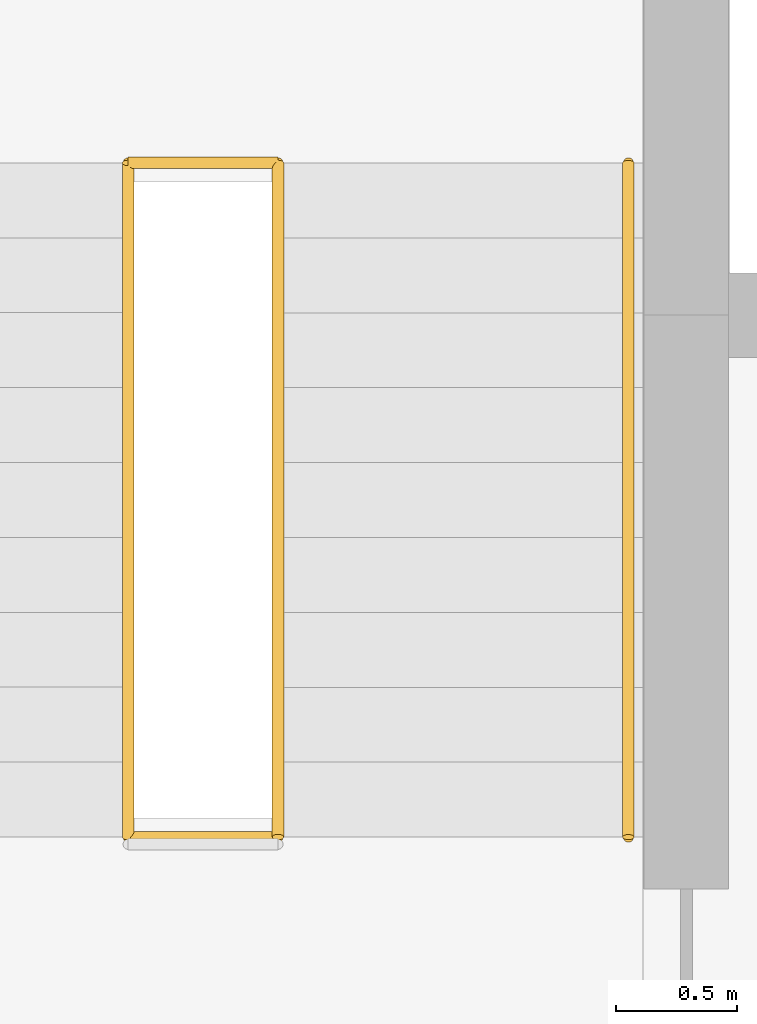
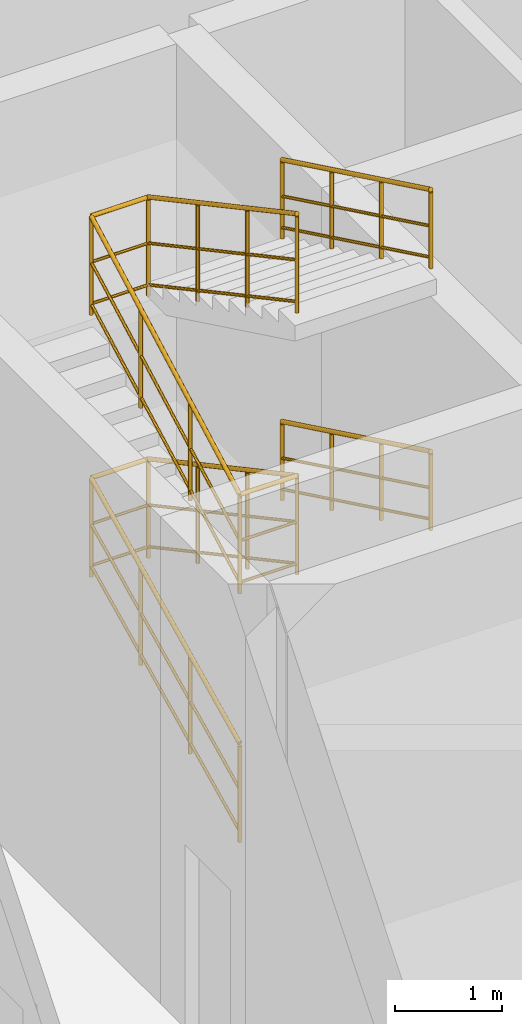
# One storey, part 11 of 11: 3 railings.
"""IFC4 building model written with IfcOpenShell, lengths in metres."""

from ifc_helpers import new_model, si_unit, direction, frame, origin, origin_2d, place, context, subcontext, project, spatial, circle, extrude, material, layer, layer_set, type_object, element, save


model = new_model("IFC4")

# Units and contexts
model_context = context("Model", 3, precision=1e-05, world=origin(), true_north=direction((0.0, 1.0)))
body_context = subcontext(model_context, "Body", "Model", "MODEL_VIEW")
ifc_project = project(units=[si_unit("LENGTHUNIT", "METRE"), si_unit("AREAUNIT", "SQUARE_METRE"), si_unit("VOLUMEUNIT", "CUBIC_METRE"), si_unit("PLANEANGLEUNIT", "RADIAN"), si_unit("MASSUNIT", "GRAM", prefix="KILO")], contexts=[model_context])

# Site, building, storey
site_placement = place(None, origin())
site = spatial("IfcSite", under=ifc_project, at=site_placement, CompositionType="ELEMENT")
building_placement = place(site_placement, origin())
building = spatial("IfcBuilding", under=site, at=building_placement, Name="Keshet Zoharim Tower", CompositionType="ELEMENT")
storey_placement = place(building_placement, frame((0.0, 0.0, 13.0)))
storey = spatial("IfcBuildingStorey", under=building, at=storey_placement, Name="L02", CompositionType="ELEMENT", Elevation=13.0)

# Railings
ifc_material = material(Name="Steel S355", Category="steel")
ifc_layer_1 = layer(ifc_material, 0.050048828125)
ifc_layer_set_1 = layer_set([ifc_layer_1], Name="Steel S355")
railing_type_1 = type_object("IfcRailingType", Name="RL-HND-092", PredefinedType="HANDRAIL", material=ifc_layer_set_1)
for number, where, name in (
    (1, (18.760009765625, 35.6298828125, 1.64990234375), "L02 ST-02 Flight 2 Wall Handrail"),
    (2, (18.760009765625, 35.6298828125, 4.64990234375), "L02 ST-02 Flight 4 Wall Handrail"),
):
    element("IfcRailing", number, at=place(storey_placement, frame(where)), inside=storey, type_object=railing_type_1, Name=name, PredefinedType="HANDRAIL", context=body_context, shape_type="SweptSolid", body=[
        extrude(circle(Radius=0.02392578125, at=origin_2d()), frame((0.0, 0.0, 0.89599609375), z_axis=(0.0, -0.900134342929, 0.43561240189), x_axis=(1.0, 0.0, 0.0)), (0.0, 0.0, 1.0), 3.099365234375),
        extrude(circle(Radius=0.01611328125, at=origin_2d()), frame((0.0, 0.0, 0.478271484375), z_axis=(0.0, -0.900134342929, 0.43561240189), x_axis=(1.0, 0.0, 0.0)), (0.0, 0.0, 1.0), 3.099365234375),
        extrude(circle(Radius=0.01611328125, at=origin_2d()), frame((0.0, 0.0, 0.1201171875), z_axis=(0.0, -0.900134342929, 0.43561240189), x_axis=(1.0, 0.0, 0.0)), (0.0, 0.0, 1.0), 3.099365234375),
        extrude(circle(Radius=0.02099609375, at=origin_2d()), origin(), (0.0, 0.0, 1.0), 0.871826171875),
        extrude(circle(Radius=0.02099609375, at=origin_2d()), frame((0.0, -0.929931640625, 0.449951171875)), (0.0, 0.0, 1.0), 0.871826171875),
        extrude(circle(Radius=0.02099609375, at=origin_2d()), frame((0.0, -1.85986328125, 0.900146484375)), (0.0, 0.0, 1.0), 0.871826171875),
        extrude(circle(Radius=0.02099609375, at=origin_2d()), frame((0.0, -2.789794921875, 1.35009765625)), (0.0, 0.0, 1.0), 0.871826171875),
    ])
ifc_layer_2 = layer(ifc_material, 0.06005859375)
ifc_layer_set_2 = layer_set([ifc_layer_2], Name="Steel S355")
railing_type_2 = type_object("IfcRailingType", Name="RL-STG-115", PredefinedType="GUARDRAIL", material=ifc_layer_set_2)
railing_placement = place(storey_placement, frame((16.68994140625, 32.840087890625, 0.14990234375)))
element("IfcRailing", 3, at=railing_placement, inside=storey, type_object=railing_type_2, Name="L02 ST-02 Inner Well Guardrail", PredefinedType="GUARDRAIL", context=body_context, shape_type="SweptSolid", body=[
    extrude(circle(Radius=0.02392578125, at=origin_2d()), frame((0.0, 0.0, 1.1259765625), z_axis=(0.0, 0.900134342929, 0.43561240189), x_axis=(-1.0, 0.0, 0.0)), (0.0, 0.0, 1.0), 3.099365234375),
    extrude(circle(Radius=0.01611328125, at=origin_2d()), frame((0.0, 0.0, 0.597900390625), z_axis=(0.0, 0.900134342929, 0.43561240189), x_axis=(-1.0, 0.0, 0.0)), (0.0, 0.0, 1.0), 3.099365234375),
    extrude(circle(Radius=0.01611328125, at=origin_2d()), frame((0.0, 0.0, 0.1201171875), z_axis=(0.0, 0.900134342929, 0.43561240189), x_axis=(-1.0, 0.0, 0.0)), (0.0, 0.0, 1.0), 3.099365234375),
    extrude(circle(Radius=0.02392578125, at=origin_2d()), frame((0.0, 2.789794921875, 2.47607421875), z_axis=(1.0, 0.0, 0.0), x_axis=(0.0, 1.0, 0.0)), (0.0, 0.0, 1.0), 0.6201171875),
    extrude(circle(Radius=0.01611328125, at=origin_2d()), frame((0.0, 2.789794921875, 1.947998046875), z_axis=(1.0, 0.0, 0.0), x_axis=(0.0, 1.0, 0.0)), (0.0, 0.0, 1.0), 0.6201171875),
    extrude(circle(Radius=0.01611328125, at=origin_2d()), frame((0.0, 2.789794921875, 1.47021484375), z_axis=(1.0, 0.0, 0.0), x_axis=(0.0, 1.0, 0.0)), (0.0, 0.0, 1.0), 0.6201171875),
    extrude(circle(Radius=0.02392578125, at=origin_2d()), frame((0.6201171875, 2.789794921875, 2.47607421875), z_axis=(0.0, -0.880760505324, 0.473561962432), x_axis=(1.0, 0.0, 0.0)), (0.0, 0.0, 1.0), 3.16748046875),
    extrude(circle(Radius=0.01611328125, at=origin_2d()), frame((0.6201171875, 2.789794921875, 1.947998046875), z_axis=(0.0, -0.880760505324, 0.473561962432), x_axis=(1.0, 0.0, 0.0)), (0.0, 0.0, 1.0), 3.16748046875),
    extrude(circle(Radius=0.01611328125, at=origin_2d()), frame((0.6201171875, 2.789794921875, 1.47021484375), z_axis=(0.0, -0.880760505324, 0.473561962432), x_axis=(1.0, 0.0, 0.0)), (0.0, 0.0, 1.0), 3.16748046875),
    extrude(circle(Radius=0.02392578125, at=origin_2d()), frame((0.6201171875, 0.0, 3.97607421875), z_axis=(-1.0, 0.0, 0.0), x_axis=(0.0, -1.0, 0.0)), (0.0, 0.0, 1.0), 0.6201171875),
    extrude(circle(Radius=0.01611328125, at=origin_2d()), frame((0.6201171875, 0.0, 3.447998046875), z_axis=(-1.0, 0.0, 0.0), x_axis=(0.0, -1.0, 0.0)), (0.0, 0.0, 1.0), 0.6201171875),
    extrude(circle(Radius=0.01611328125, at=origin_2d()), frame((0.6201171875, 0.0, 2.97021484375), z_axis=(-1.0, 0.0, 0.0), x_axis=(0.0, -1.0, 0.0)), (0.0, 0.0, 1.0), 0.6201171875),
    extrude(circle(Radius=0.02392578125, at=origin_2d()), frame((0.0, 0.0, 3.97607421875), z_axis=(0.0, 0.880760505324, 0.473561962432), x_axis=(-1.0, 0.0, 0.0)), (0.0, 0.0, 1.0), 3.16748046875),
    extrude(circle(Radius=0.01611328125, at=origin_2d()), frame((0.0, 0.0, 3.447998046875), z_axis=(0.0, 0.880760505324, 0.473561962432), x_axis=(-1.0, 0.0, 0.0)), (0.0, 0.0, 1.0), 3.16748046875),
    extrude(circle(Radius=0.01611328125, at=origin_2d()), frame((0.0, 0.0, 2.97021484375), z_axis=(0.0, 0.880760505324, 0.473561962432), x_axis=(-1.0, 0.0, 0.0)), (0.0, 0.0, 1.0), 3.16748046875),
    extrude(circle(Radius=0.02392578125, at=origin_2d()), frame((0.0, 2.789794921875, 5.47607421875), z_axis=(1.0, 0.0, 0.0), x_axis=(0.0, 1.0, 0.0)), (0.0, 0.0, 1.0), 0.6201171875),
    extrude(circle(Radius=0.01611328125, at=origin_2d()), frame((0.0, 2.789794921875, 4.947998046875), z_axis=(1.0, 0.0, 0.0), x_axis=(0.0, 1.0, 0.0)), (0.0, 0.0, 1.0), 0.6201171875),
    extrude(circle(Radius=0.01611328125, at=origin_2d()), frame((0.0, 2.789794921875, 4.47021484375), z_axis=(1.0, 0.0, 0.0), x_axis=(0.0, 1.0, 0.0)), (0.0, 0.0, 1.0), 0.6201171875),
    extrude(circle(Radius=0.02392578125, at=origin_2d()), frame((0.6201171875, 2.789794921875, 5.47607421875), z_axis=(0.0, -0.880760505324, 0.473561962432), x_axis=(1.0, 0.0, 0.0)), (0.0, 0.0, 1.0), 3.16748046875),
    extrude(circle(Radius=0.01611328125, at=origin_2d()), frame((0.6201171875, 2.789794921875, 4.947998046875), z_axis=(0.0, -0.880760505324, 0.473561962432), x_axis=(1.0, 0.0, 0.0)), (0.0, 0.0, 1.0), 3.16748046875),
    extrude(circle(Radius=0.01611328125, at=origin_2d()), frame((0.6201171875, 2.789794921875, 4.47021484375), z_axis=(0.0, -0.880760505324, 0.473561962432), x_axis=(1.0, 0.0, 0.0)), (0.0, 0.0, 1.0), 3.16748046875),
    extrude(circle(Radius=0.02099609375, at=origin_2d()), origin(), (0.0, 0.0, 1.0), 1.101806640625),
    extrude(circle(Radius=0.02099609375, at=origin_2d()), frame((0.0, 0.929931640625, 0.449951171875)), (0.0, 0.0, 1.0), 1.101806640625),
    extrude(circle(Radius=0.02099609375, at=origin_2d()), frame((0.0, 1.85986328125, 0.900146484375)), (0.0, 0.0, 1.0), 1.101806640625),
    extrude(circle(Radius=0.02099609375, at=origin_2d()), frame((0.0, 2.789794921875, 1.35009765625)), (0.0, 0.0, 1.0), 1.101806640625),
    extrude(circle(Radius=0.02099609375, at=origin_2d()), frame((0.6201171875, 2.789794921875, 1.35009765625)), (0.0, 0.0, 1.0), 1.101806640625),
    extrude(circle(Radius=0.02099609375, at=origin_2d()), frame((0.6201171875, 1.85986328125, 1.85009765625)), (0.0, 0.0, 1.0), 1.101806640625),
    extrude(circle(Radius=0.02099609375, at=origin_2d()), frame((0.6201171875, 0.929931640625, 2.35009765625)), (0.0, 0.0, 1.0), 1.101806640625),
    extrude(circle(Radius=0.02099609375, at=origin_2d()), frame((0.6201171875, 0.0, 2.85009765625)), (0.0, 0.0, 1.0), 1.101806640625),
    extrude(circle(Radius=0.02099609375, at=origin_2d()), frame((0.0, 0.0, 2.85009765625)), (0.0, 0.0, 1.0), 1.101806640625),
    extrude(circle(Radius=0.02099609375, at=origin_2d()), frame((0.0, 0.929931640625, 3.35009765625)), (0.0, 0.0, 1.0), 1.101806640625),
    extrude(circle(Radius=0.02099609375, at=origin_2d()), frame((0.0, 1.85986328125, 3.85009765625)), (0.0, 0.0, 1.0), 1.101806640625),
    extrude(circle(Radius=0.02099609375, at=origin_2d()), frame((0.0, 2.789794921875, 4.35009765625)), (0.0, 0.0, 1.0), 1.101806640625),
    extrude(circle(Radius=0.02099609375, at=origin_2d()), frame((0.6201171875, 2.789794921875, 4.35009765625)), (0.0, 0.0, 1.0), 1.101806640625),
    extrude(circle(Radius=0.02099609375, at=origin_2d()), frame((0.6201171875, 1.85986328125, 4.85009765625)), (0.0, 0.0, 1.0), 1.101806640625),
    extrude(circle(Radius=0.02099609375, at=origin_2d()), frame((0.6201171875, 0.929931640625, 5.35009765625)), (0.0, 0.0, 1.0), 1.101806640625),
    extrude(circle(Radius=0.02099609375, at=origin_2d()), frame((0.6201171875, 0.0, 5.85009765625)), (0.0, 0.0, 1.0), 1.101806640625),
])

save(model, "model.ifc")
